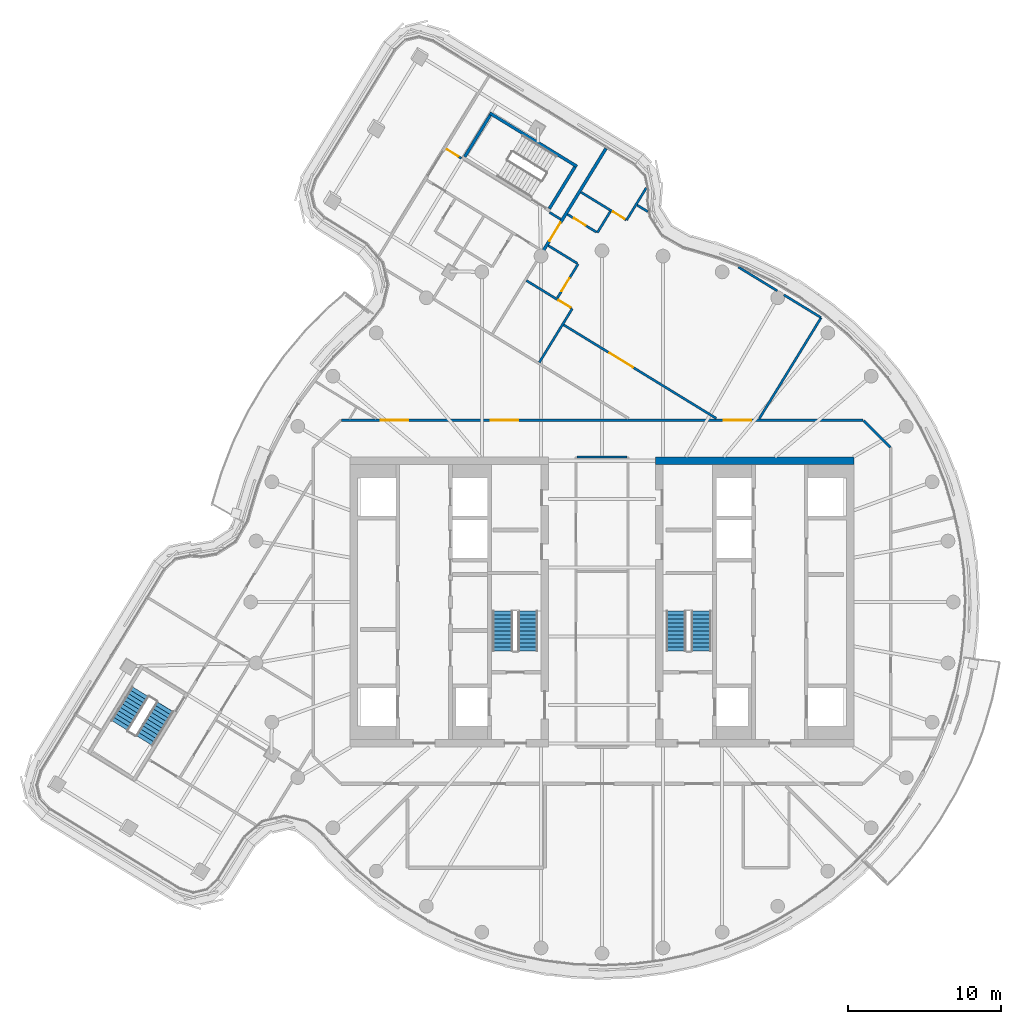
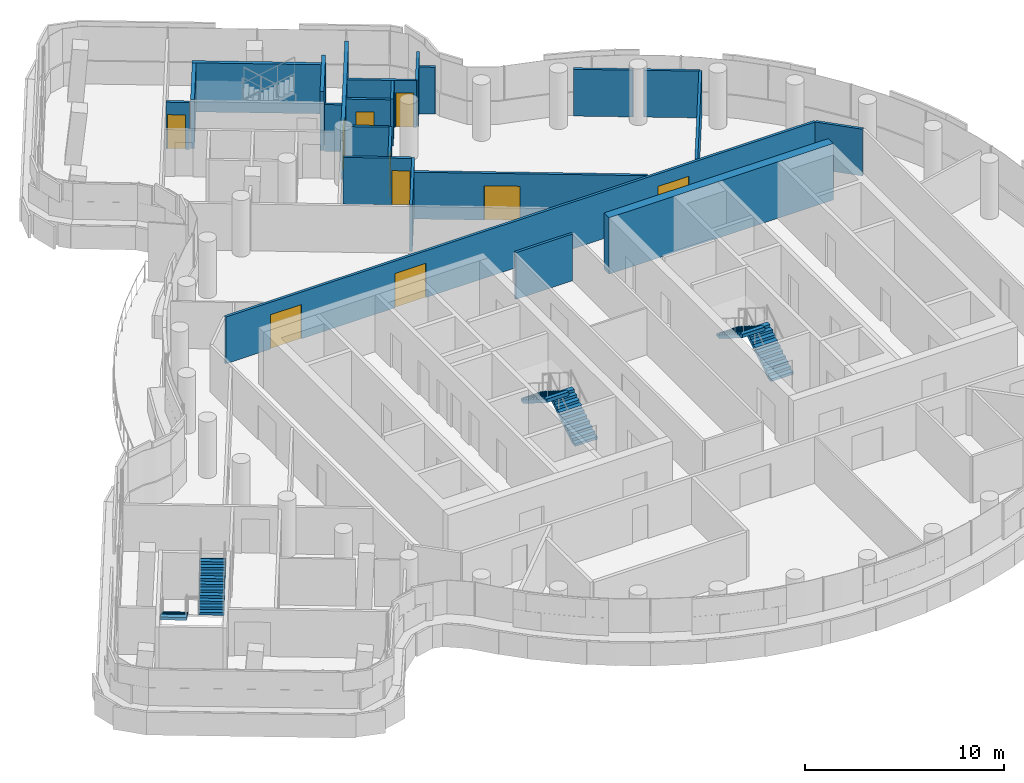
# One storey, part 20 of 27: 23 walls, 10 doors, 6 stair flights, 10 openings, 3 elements without a shape of their own.
"""IFC4 building model written with IfcOpenShell, lengths in metres."""

import ifcopenshell
import ifcopenshell.guid

model = None  # the IFC model being written
_history = None  # IfcOwnerHistory: only IFC2X3 demands one
_inside = {}  # id of a spatial element -> (the spatial element, [elements in it])
_under = {}  # id of a project, library or spatial element -> (it, [spatial elements below it])
_declared = {}  # id of a project -> (the project, [libraries it declares])
_typed = {}  # id of a type object -> (the type object, [elements of that type])
_made_of = {}  # id of a material, layer set ... -> (it, [elements and type objects made of it])


def new_model(schema):
    """Start an empty IFC model of exactly this schema.

    Asked for "IFC4X3", IfcOpenShell would pick the latest addendum, in which some entities
    have other attributes; the version numbers below select the first issue.
    IFC2X3 requires an IfcOwnerHistory on every rooted entity: one is made here for all.
    """
    global model, _history
    if schema == "IFC4X3":
        model = ifcopenshell.file(schema_version=(4, 3, 0, 0))
    else:
        model = ifcopenshell.file(schema=schema)
    _inside.clear()
    _under.clear()
    _declared.clear()
    _typed.clear()
    _made_of.clear()
    _history = None
    if model.schema == "IFC2X3":
        org = make("IfcOrganization", Name="unknown")
        user = make(
            "IfcPersonAndOrganization",
            ThePerson=make("IfcPerson", FamilyName="unknown"),
            TheOrganization=org,
        )
        app = make(
            "IfcApplication",
            ApplicationDeveloper=org,
            Version="unknown",
            ApplicationFullName="unknown",
            ApplicationIdentifier="unknown",
        )
        _history = make(
            "IfcOwnerHistory",
            OwningUser=user,
            OwningApplication=app,
            ChangeAction="ADDED",
            CreationDate=0,
        )
    return model


def make(cls, **values):
    """One entity of the class cls with the attributes given. An attribute that is None is left unset."""
    return model.create_entity(
        cls, **{name: value for name, value in values.items() if value is not None}
    )


def rooted(cls, **values):
    """An entity with a GlobalId (a new one), such as an element, a storey or a relation."""
    return make(cls, GlobalId=ifcopenshell.guid.new(), OwnerHistory=_history, **values)


def si_unit(unit_type, name, prefix=None):
    """IfcSIUnit, for example si_unit("LENGTHUNIT", "METRE", prefix="MILLI")."""
    return make("IfcSIUnit", UnitType=unit_type, Prefix=prefix, Name=name)


def assignment(units):
    """IfcUnitAssignment: the units of a project."""
    return None if units is None else make("IfcUnitAssignment", Units=units)


def point(xyz):
    """IfcCartesianPoint."""
    return None if xyz is None else make("IfcCartesianPoint", Coordinates=xyz)


def direction(xyz):
    """IfcDirection."""
    return None if xyz is None else make("IfcDirection", DirectionRatios=xyz)


def frame(location, z_axis=None, x_axis=None):
    """IfcAxis2Placement3D, a coordinate frame: its origin and axes. An axis left out is left unset."""
    return make(
        "IfcAxis2Placement3D",
        Location=point(location),
        Axis=direction(z_axis),
        RefDirection=direction(x_axis),
    )


def frame_2d(location, x_axis=None):
    """IfcAxis2Placement2D, a coordinate frame in the plane: its origin and x axis."""
    return make(
        "IfcAxis2Placement2D", Location=point(location), RefDirection=direction(x_axis)
    )


def origin():
    """The frame at (0, 0, 0) with its axes left unset."""
    return frame((0.0, 0.0, 0.0))


def place(relative_to, where):
    """IfcLocalPlacement: puts the frame where relative to a parent placement (None: the world)."""
    return make(
        "IfcLocalPlacement", PlacementRelTo=relative_to, RelativePlacement=where
    )


def context(
    kind, dimensions, precision=None, world=None, true_north=None, identifier=None
):
    """IfcGeometricRepresentationContext, for example the 3D "Model" context."""
    return make(
        "IfcGeometricRepresentationContext",
        ContextIdentifier=identifier,
        ContextType=kind,
        CoordinateSpaceDimension=dimensions,
        Precision=precision,
        WorldCoordinateSystem=world,
        TrueNorth=true_north,
    )


def subcontext(parent, identifier, kind, view, scale=None):
    """IfcGeometricRepresentationSubContext, for example "Body" below "Model"."""
    return make(
        "IfcGeometricRepresentationSubContext",
        ContextIdentifier=identifier,
        ContextType=kind,
        ParentContext=parent,
        TargetScale=scale,
        TargetView=view,
    )


def project(units=None, contexts=None):
    """IfcProject with its units and contexts."""
    return rooted(
        "IfcProject",
        Name="project",
        RepresentationContexts=contexts,
        UnitsInContext=assignment(units),
    )


def spatial(cls, under=None, at=None, **own):
    """A site, building, storey or space (cls), placed at a placement, below another one or the project."""
    s = rooted(cls, ObjectPlacement=at, **own)
    if under is not None:
        _under.setdefault(under.id(), (under, []))[1].append(s)
    return s


def polyline(points):
    """IfcPolyline through the points."""
    return make("IfcPolyline", Points=[point(p) for p in points])


def profile(cls, at=None, kind="AREA", **sizes):
    """A parametric profile (cls). Its sizes go by their IFC names, for example OverallWidth=200.0."""
    return make(cls, ProfileType=kind, Position=at, **sizes)


def rectangle(**sizes):
    """IfcRectangleProfileDef."""
    return profile("IfcRectangleProfileDef", **sizes)


def outline(outer, holes=None, kind="AREA"):
    """IfcArbitraryClosedProfileDef: a profile drawn as a closed curve; with holes, ...WithVoids."""
    if holes is None:
        return make("IfcArbitraryClosedProfileDef", ProfileType=kind, OuterCurve=outer)
    return make(
        "IfcArbitraryProfileDefWithVoids",
        ProfileType=kind,
        OuterCurve=outer,
        InnerCurves=holes,
    )


def extrude(swept, where, along, depth):
    """IfcExtrudedAreaSolid: the profile swept, set in the frame where, extruded along a direction by depth."""
    return make(
        "IfcExtrudedAreaSolid",
        SweptArea=swept,
        Position=where,
        ExtrudedDirection=direction(along),
        Depth=depth,
    )


def shape(context_of_items, identifier, shape_type, items):
    """IfcShapeRepresentation: the items that make up one representation, for example the "Body"."""
    return make(
        "IfcShapeRepresentation",
        ContextOfItems=context_of_items,
        RepresentationIdentifier=identifier,
        RepresentationType=shape_type,
        Items=items,
    )


def material(Name=None, Category=None):
    """IfcMaterial."""
    return make("IfcMaterial", Name=Name, Category=Category)


def layer(
    of_material, thickness, ventilated=None, Name=None, Category=None, Priority=None
):
    """IfcMaterialLayer: one layer of a wall or slab, of a material (None: an air gap)."""
    return make(
        "IfcMaterialLayer",
        Material=of_material,
        LayerThickness=thickness,
        IsVentilated=ventilated,
        Name=Name,
        Category=Category,
        Priority=Priority,
    )


def layer_set(layers, Name=None):
    """IfcMaterialLayerSet."""
    return make("IfcMaterialLayerSet", MaterialLayers=layers, LayerSetName=Name)


def made_of(thing, what):
    """Note that an element or type object is made of a material, layer set ...; save() writes the relation."""
    if what is not None:
        _made_of.setdefault(what.id(), (what, []))[1].append(thing)
    return thing


def type_object(cls, material=None, **own):
    """A type object (cls), such as IfcWallType, which elements share."""
    return made_of(rooted(cls, **own), material)


def element(
    cls,
    number,
    at=None,
    inside=None,
    cuts=None,
    type_object=None,
    material=None,
    context=None,
    identifier="Body",
    shape_type=None,
    held_by="IfcProductDefinitionShape",
    body=None,
    shapes=None,
    **own,
):
    """One element of the class cls, such as IfcWall. Its Tag is "e" and its number.

    at: its placement. inside: the storey or other place that contains it. cuts: it is an
    opening in that element (IfcRelVoidsElement). A single representation is given by context,
    identifier, shape_type and body (its items); several are given by shapes. held_by: the class
    of the entity that holds the representations. save() writes the other relations.
    """
    e = rooted(cls, Tag="e%d" % number, ObjectPlacement=at, **own)
    if body is not None:
        shapes = [shape(context, identifier, shape_type, body)]
    if shapes is not None:
        e.Representation = make(held_by, Representations=shapes)
    if inside is not None:
        _inside.setdefault(inside.id(), (inside, []))[1].append(e)
    if cuts is not None:
        rooted(
            "IfcRelVoidsElement", RelatingBuildingElement=cuts, RelatedOpeningElement=e
        )
    if type_object is not None:
        _typed.setdefault(type_object.id(), (type_object, []))[1].append(e)
    return made_of(e, material)


def fill(opening, filler):
    """IfcRelFillsElement: the door or window that sits in an opening."""
    return rooted(
        "IfcRelFillsElement",
        RelatingOpeningElement=opening,
        RelatedBuildingElement=filler,
    )


def aggregate(whole, parts):
    """IfcRelAggregates: a whole, such as a stair, and the parts it consists of."""
    return rooted("IfcRelAggregates", RelatingObject=whole, RelatedObjects=parts)


def save(model, path):
    """Write the relations noted so far, then the file.

    IfcRelAggregates (storeys below a building ...), IfcRelContainedInSpatialStructure (elements
    in a storey), IfcRelDefinesByType, IfcRelAssociatesMaterial and IfcRelDeclares: one each for
    every whole, place, type object, material and project.
    """
    for whole, parts in _under.values():
        aggregate(whole, parts)
    for where, things in _inside.values():
        rooted(
            "IfcRelContainedInSpatialStructure",
            RelatedElements=things,
            RelatingStructure=where,
        )
    for kind, things in _typed.values():
        rooted("IfcRelDefinesByType", RelatedObjects=things, RelatingType=kind)
    for what, things in _made_of.values():
        rooted("IfcRelAssociatesMaterial", RelatedObjects=things, RelatingMaterial=what)
    for by, libraries in _declared.values():
        rooted("IfcRelDeclares", RelatingContext=by, RelatedDefinitions=libraries)
    model.write(path)


model = new_model("IFC4")

# Units and contexts
model_context = context("Model", 3, precision=1e-05, world=origin(), true_north=direction((0.0, 1.0)))
body_context = subcontext(model_context, "Body", "Model", "MODEL_VIEW")
ifc_project = project(units=[si_unit("LENGTHUNIT", "METRE"), si_unit("AREAUNIT", "SQUARE_METRE"), si_unit("VOLUMEUNIT", "CUBIC_METRE"), si_unit("PLANEANGLEUNIT", "RADIAN"), si_unit("MASSUNIT", "GRAM", prefix="KILO")], contexts=[model_context])

# Site, building, storey
site_placement = place(None, origin())
site = spatial("IfcSite", under=ifc_project, at=site_placement, CompositionType="ELEMENT")
building_placement = place(site_placement, origin())
building = spatial("IfcBuilding", under=site, at=building_placement, Name="Tamarind Cross Interchange Tower", CompositionType="ELEMENT")
storey_placement = place(building_placement, frame((0.0, 0.0, 245.10009765625)))
storey = spatial("IfcBuildingStorey", under=building, at=storey_placement, Name="L62", CompositionType="ELEMENT", Elevation=245.10009765625)

# Walls
ifc_material_1 = material(Name="Concrete C50", Category="concrete")
ifc_layer_1 = layer(ifc_material_1, 0.5)
ifc_layer_set_1 = layer_set([ifc_layer_1], Name="Concrete C50")
wall_type_1 = type_object("IfcWallType", Name="Core wall 500 mm Concrete C50", PredefinedType="SHEAR", material=ifc_layer_set_1)
wall_1_placement = place(storey_placement, frame((16.5, 9.25, 0.0), z_axis=(0.0, 0.0, 1.0), x_axis=(-1.0, 0.0, 0.0)))
element("IfcWall", 1, at=wall_1_placement, inside=storey, type_object=wall_type_1, Name="Core wall CWL-L62-E-NE", PredefinedType="SHEAR", context=body_context, shape_type="SweptSolid", body=[
    extrude(rectangle(XDim=13.0, YDim=0.5, at=frame_2d((6.5, 0.0))), origin(), (0.0, 0.0, 1.0), 3.4599609375),
])
ifc_material_2 = material(Name="Gypsum board partition on steel studs", Category="steel")
ifc_layer_2 = layer(ifc_material_2, 0.14990234375)
ifc_layer_set_2 = layer_set([ifc_layer_2], Name="Gypsum board partition on steel studs")
wall_type_2 = type_object("IfcWallType", Name="Partition 150 mm EI 120", PredefinedType="PARTITIONING", material=ifc_layer_set_2)
wall_2_placement = place(storey_placement, frame((17.12841796875, 11.87158203125, 0.0), z_axis=(0.0, 0.0, 1.0), x_axis=(0.707106781187, -0.707106781187, 0.0)))
element("IfcWall", 2, at=wall_2_placement, inside=storey, type_object=wall_type_2, Name="Partition L62-003", PredefinedType="PARTITIONING", context=body_context, shape_type="SweptSolid", body=[
    extrude(rectangle(XDim=2.465087890625, YDim=0.14990234375, at=frame_2d((1.232421875, 0.0))), origin(), (0.0, 0.0, 1.0), 2.864013671875),
])

# Wall, opening, door
wall_3_placement = place(storey_placement, frame((-10.2197265625, 29.668212890625, 0.0), z_axis=(0.0, 0.0, 1.0), x_axis=(0.852431711589, -0.522838576501, 0.0)))
wall_3 = element("IfcWall", 3, at=wall_3_placement, inside=storey, type_object=wall_type_2, Name="Partition L62-010", PredefinedType="PARTITIONING", context=body_context, shape_type="SweptSolid", body=[
    extrude(rectangle(XDim=1.179931640625, YDim=0.14990234375, at=frame_2d((0.58984375, 0.0))), origin(), (0.0, 0.0, 1.0), 2.864013671875),
])
opening_1_placement = place(wall_3_placement, frame((0.070068359375, 0.0, 0.0)))
opening_1 = element("IfcOpeningElement", 4, at=opening_1_placement, cuts=wall_3, Name="Opening D04", PredefinedType="OPENING", context=body_context, shape_type="SweptSolid", body=[
    extrude(rectangle(XDim=0.89990234375, YDim=2.10009765625, at=frame_2d((0.449951171875, 1.050048828125))), frame((0.0, 0.0849609375, 0.0), z_axis=(0.0, -1.0, 0.0), x_axis=(1.0, 0.0, 0.0)), (0.0, 0.0, 1.0), 0.169921875),
])
ifc_material_3 = material(Name="Fire-resisting door set")
door_type_1 = type_object("IfcDoorType", Name="Interior door 900 x 2100 FD60S", OperationType="SINGLE_SWING_LEFT", PredefinedType="DOOR", material=ifc_material_3)
door_1_placement = place(opening_1_placement, origin())
door_1 = element("IfcDoor", 5, at=door_1_placement, inside=storey, type_object=door_type_1, Name="Door D04", OperationType="SINGLE_SWING_RIGHT", OverallHeight=2.10009765625, OverallWidth=0.89990234375, PredefinedType="DOOR", context=body_context, shape_type="SweptSolid", body=[
    extrude(rectangle(XDim=0.89990234375, YDim=2.10009765625, at=frame_2d((0.449951171875, 1.050048828125))), frame((0.0, 0.02490234375, 0.0), z_axis=(0.0, -1.0, 0.0), x_axis=(1.0, 0.0, 0.0)), (0.0, 0.0, 1.0), 0.050048828125),
])
fill(opening_1, door_1)

# Wall
wall_4_placement = place(storey_placement, frame((-3.43408203125, 25.506591796875, 0.0), z_axis=(0.0, 0.0, 1.0), x_axis=(0.852319855047, -0.523020902731, 0.0)))
element("IfcWall", 6, at=wall_4_placement, inside=storey, type_object=wall_type_2, Name="Partition L62-011", PredefinedType="PARTITIONING", context=body_context, shape_type="SweptSolid", body=[
    extrude(rectangle(XDim=0.86083984375, YDim=0.14990234375, at=frame_2d((0.430419921875, 0.0))), origin(), (0.0, 0.0, 1.0), 2.864013671875),
])

# Wall, opening, door
wall_5_placement = place(storey_placement, frame((-4.94775390625, 21.044189453125, 0.0), z_axis=(0.0, 0.0, 1.0), x_axis=(0.85258902817, -0.52258200222, 0.0)))
wall_5 = element("IfcWall", 7, at=wall_5_placement, inside=storey, type_object=wall_type_2, Name="Partition L62-012", PredefinedType="PARTITIONING", context=body_context, shape_type="SweptSolid", body=[
    extrude(rectangle(XDim=3.444580078125, YDim=0.14990234375, at=frame_2d((1.72216796875, 0.0))), origin(), (0.0, 0.0, 1.0), 2.864013671875),
])
opening_2_placement = place(wall_5_placement, frame((2.469482421875, 0.0, 0.0)))
opening_2 = element("IfcOpeningElement", 8, at=opening_2_placement, cuts=wall_5, Name="Opening D05", PredefinedType="OPENING", context=body_context, shape_type="SweptSolid", body=[
    extrude(rectangle(XDim=0.89990234375, YDim=2.10009765625, at=frame_2d((0.449951171875, 1.050048828125))), frame((0.0, 0.0849609375, 0.0), z_axis=(0.0, -1.0, 0.0), x_axis=(1.0, 0.0, 0.0)), (0.0, 0.0, 1.0), 0.169921875),
])
door_2_placement = place(opening_2_placement, frame((0.89990234375, 0.0, 0.0), z_axis=(0.0, 0.0, 1.0), x_axis=(-1.0, 0.0, 0.0)))
door_2 = element("IfcDoor", 9, at=door_2_placement, inside=storey, type_object=door_type_1, Name="Door D05", OperationType="SINGLE_SWING_RIGHT", OverallHeight=2.10009765625, OverallWidth=0.89990234375, PredefinedType="DOOR", context=body_context, shape_type="SweptSolid", body=[
    extrude(rectangle(XDim=0.89990234375, YDim=2.10009765625, at=frame_2d((0.449951171875, 1.050048828125))), frame((0.0, 0.02490234375, 0.0), z_axis=(0.0, -1.0, 0.0), x_axis=(1.0, 0.0, 0.0)), (0.0, 0.0, 1.0), 0.050048828125),
])
fill(opening_2, door_2)

wall_6_placement = place(storey_placement, frame((-2.2666015625, 25.3828125, 0.0), z_axis=(0.0, 0.0, 1.0), x_axis=(0.852583902446, -0.522590364712, 0.0)))
wall_6 = element("IfcWall", 10, at=wall_6_placement, inside=storey, type_object=wall_type_2, Name="Partition L62-013", PredefinedType="PARTITIONING", context=body_context, shape_type="SweptSolid", body=[
    extrude(rectangle(XDim=2.224609375, YDim=0.14990234375, at=frame_2d((1.1123046875, 0.0))), origin(), (0.0, 0.0, 1.0), 2.864013671875),
])
opening_3_placement = place(wall_6_placement, frame((0.5, 0.0, 0.0)))
opening_3 = element("IfcOpeningElement", 11, at=opening_3_placement, cuts=wall_6, Name="Opening D06", PredefinedType="OPENING", context=body_context, shape_type="SweptSolid", body=[
    extrude(rectangle(XDim=0.89990234375, YDim=2.10009765625, at=frame_2d((0.449951171875, 1.050048828125))), frame((0.0, 0.0849609375, 0.0), z_axis=(0.0, -1.0, 0.0), x_axis=(1.0, 0.0, 0.0)), (0.0, 0.0, 1.0), 0.169921875),
])
door_3_placement = place(opening_3_placement, origin())
door_3 = element("IfcDoor", 12, at=door_3_placement, inside=storey, type_object=door_type_1, Name="Door D06", OperationType="SINGLE_SWING_RIGHT", OverallHeight=2.10009765625, OverallWidth=0.89990234375, PredefinedType="DOOR", context=body_context, shape_type="SweptSolid", body=[
    extrude(rectangle(XDim=0.89990234375, YDim=2.10009765625, at=frame_2d((0.449951171875, 1.050048828125))), frame((0.0, 0.02490234375, 0.0), z_axis=(0.0, -1.0, 0.0), x_axis=(1.0, 0.0, 0.0)), (0.0, 0.0, 1.0), 0.050048828125),
])
fill(opening_3, door_3)

# Wall
wall_7_placement = place(storey_placement, frame((-3.520751953125, 23.335693359375, 0.0), z_axis=(0.0, 0.0, 1.0), x_axis=(0.852703717401, -0.522394841408, 0.0)))
element("IfcWall", 13, at=wall_7_placement, inside=storey, type_object=wall_type_2, Name="Partition L62-019", PredefinedType="PARTITIONING", context=body_context, shape_type="SweptSolid", body=[
    extrude(rectangle(XDim=2.2255859375, YDim=0.14990234375, at=frame_2d((1.11279296875, 0.0))), origin(), (0.0, 0.0, 1.0), 2.864013671875),
])

# Wall, opening, door
wall_8_placement = place(storey_placement, frame((-2.505859375, 18.14013671875, 0.0), z_axis=(0.0, 0.0, 1.0), x_axis=(0.85272401736, -0.522361704393, 0.0)))
wall_8 = element("IfcWall", 14, at=wall_8_placement, inside=storey, type_object=wall_type_2, Name="Partition L62-020", PredefinedType="PARTITIONING", context=body_context, shape_type="SweptSolid", body=[
    extrude(rectangle(XDim=11.71630859375, YDim=0.14990234375, at=frame_2d((5.858154296875, 0.0))), origin(), (0.0, 0.0, 1.0), 2.864013671875),
])
opening_4_placement = place(wall_8_placement, frame((3.52001953125, 0.0, 0.0)))
opening_4 = element("IfcOpeningElement", 15, at=opening_4_placement, cuts=wall_8, Name="Opening D08", PredefinedType="OPENING", context=body_context, shape_type="SweptSolid", body=[
    extrude(rectangle(XDim=1.800048828125, YDim=2.10009765625, at=frame_2d((0.89990234375, 1.050048828125))), frame((0.0, 0.0849609375, 0.0), z_axis=(0.0, -1.0, 0.0), x_axis=(1.0, 0.0, 0.0)), (0.0, 0.0, 1.0), 0.169921875),
])
door_type_2 = type_object("IfcDoorType", Name="Interior door 1800 x 2100 FD60S", OperationType="DOUBLE_DOOR_SINGLE_SWING", PredefinedType="DOOR", material=ifc_material_3)
door_4_placement = place(opening_4_placement, frame((1.800048828125, 0.0, 0.0), z_axis=(0.0, 0.0, 1.0), x_axis=(-1.0, 0.0, 0.0)))
door_4 = element("IfcDoor", 16, at=door_4_placement, inside=storey, type_object=door_type_2, Name="Door D08", OperationType="DOUBLE_DOOR_SINGLE_SWING", OverallHeight=2.10009765625, OverallWidth=1.800048828125, PredefinedType="DOOR", context=body_context, shape_type="SweptSolid", body=[
    extrude(rectangle(XDim=1.800048828125, YDim=2.10009765625, at=frame_2d((0.89990234375, 1.050048828125))), frame((0.0, 0.02490234375, 0.0), z_axis=(0.0, -1.0, 0.0), x_axis=(1.0, 0.0, 0.0)), (0.0, 0.0, 1.0), 0.050048828125),
])
fill(opening_4, door_4)

wall_9_placement = place(storey_placement, frame((-1.37451171875, 26.8291015625, 0.0), z_axis=(0.0, 0.0, 1.0), x_axis=(0.852802133987, -0.522234162294, 0.0)))
wall_9 = element("IfcWall", 17, at=wall_9_placement, inside=storey, type_object=wall_type_2, Name="Partition L62-021", PredefinedType="PARTITIONING", context=body_context, shape_type="SweptSolid", body=[
    extrude(rectangle(XDim=3.474853515625, YDim=0.14990234375, at=frame_2d((1.7373046875, 0.0))), origin(), (0.0, 0.0, 1.0), 2.864013671875),
])
opening_5_placement = place(wall_9_placement, frame((2.444091796875, 0.0, 0.0)))
opening_5 = element("IfcOpeningElement", 18, at=opening_5_placement, cuts=wall_9, Name="Opening D09", PredefinedType="OPENING", context=body_context, shape_type="SweptSolid", body=[
    extrude(rectangle(XDim=0.89990234375, YDim=2.10009765625, at=frame_2d((0.449951171875, 1.050048828125))), frame((0.0, 0.0849609375, 0.0), z_axis=(0.0, -1.0, 0.0), x_axis=(1.0, 0.0, 0.0)), (0.0, 0.0, 1.0), 0.169921875),
])
door_5_placement = place(opening_5_placement, origin())
door_5 = element("IfcDoor", 19, at=door_5_placement, inside=storey, type_object=door_type_1, Name="Door D09", OperationType="SINGLE_SWING_LEFT", OverallHeight=2.10009765625, OverallWidth=0.89990234375, PredefinedType="DOOR", context=body_context, shape_type="SweptSolid", body=[
    extrude(rectangle(XDim=0.89990234375, YDim=2.10009765625, at=frame_2d((0.449951171875, 1.050048828125))), frame((0.0, 0.02490234375, 0.0), z_axis=(0.0, -1.0, 0.0), x_axis=(1.0, 0.0, 0.0)), (0.0, 0.0, 1.0), 0.050048828125),
])
fill(opening_5, door_5)

# Walls
wall_10_placement = place(storey_placement, frame((2.30029296875, 25.9853515625, 0.0), z_axis=(0.0, 0.0, 1.0), x_axis=(0.852972911954, -0.521955181478, 0.0)))
element("IfcWall", 20, at=wall_10_placement, inside=storey, type_object=wall_type_2, Name="Partition L62-022", PredefinedType="PARTITIONING", context=body_context, shape_type="SweptSolid", body=[
    extrude(rectangle(XDim=0.82080078125, YDim=0.14990234375, at=frame_2d((0.410400390625, 0.0))), origin(), (0.0, 0.0, 1.0), 2.864013671875),
])
wall_11_placement = place(storey_placement, frame((8.924560546875, 21.93310546875, 0.0), z_axis=(0.0, 0.0, 1.0), x_axis=(0.853098197907, -0.52175038546, 0.0)))
element("IfcWall", 21, at=wall_11_placement, inside=storey, type_object=wall_type_2, Name="Partition L62-023", PredefinedType="PARTITIONING", context=body_context, shape_type="SweptSolid", body=[
    extrude(rectangle(XDim=2.991455078125, YDim=0.14990234375, at=frame_2d((1.49560546875, 0.0))), origin(), (0.0, 0.0, 1.0), 2.864013671875),
])
wall_12_placement = place(storey_placement, frame((11.909423828125, 20.107421875, 0.0), z_axis=(0.0, 0.0, 1.0), x_axis=(0.853056203986, -0.521819042237, 0.0)))
element("IfcWall", 22, at=wall_12_placement, inside=storey, type_object=wall_type_2, Name="Partition L62-024", PredefinedType="PARTITIONING", context=body_context, shape_type="SweptSolid", body=[
    extrude(rectangle(XDim=2.836181640625, YDim=0.14990234375, at=frame_2d((1.41796875, 0.0))), origin(), (0.0, 0.0, 1.0), 2.864013671875),
])

# Wall, openings, doors
wall_13_placement = place(storey_placement, frame((-17.06494140625, 11.89990234375, 0.0), z_axis=(0.0, 0.0, 1.0), x_axis=(1.0, 0.0, 0.0)))
wall_13 = element("IfcWall", 23, at=wall_13_placement, inside=storey, type_object=wall_type_2, Name="Partition L62-026", PredefinedType="PARTITIONING", context=body_context, shape_type="SweptSolid", body=[
    extrude(rectangle(XDim=34.1650390625, YDim=0.14990234375, at=frame_2d((17.08251953125, 0.0))), origin(), (0.0, 0.0, 1.0), 2.864013671875),
])
opening_6_placement = place(wall_13_placement, frame((25.0458984375, 0.0, 0.0)))
opening_6 = element("IfcOpeningElement", 24, at=opening_6_placement, cuts=wall_13, Name="Opening D16", PredefinedType="OPENING", context=body_context, shape_type="SweptSolid", body=[
    extrude(rectangle(XDim=1.800048828125, YDim=2.10009765625, at=frame_2d((0.89990234375, 1.050048828125))), frame((0.0, 0.0849609375, 0.0), z_axis=(0.0, -1.0, 0.0), x_axis=(1.0, 0.0, 0.0)), (0.0, 0.0, 1.0), 0.169921875),
])
opening_7_placement = place(wall_13_placement, frame((9.7900390625, 0.0, 0.0)))
opening_7 = element("IfcOpeningElement", 25, at=opening_7_placement, cuts=wall_13, Name="Opening D17", PredefinedType="OPENING", context=body_context, shape_type="SweptSolid", body=[
    extrude(rectangle(XDim=1.800048828125, YDim=2.10009765625, at=frame_2d((0.89990234375, 1.050048828125))), frame((0.0, 0.0849609375, 0.0), z_axis=(0.0, -1.0, 0.0), x_axis=(1.0, 0.0, 0.0)), (0.0, 0.0, 1.0), 0.169921875),
])
opening_8_placement = place(wall_13_placement, frame((2.590087890625, 0.0, 0.0)))
opening_8 = element("IfcOpeningElement", 26, at=opening_8_placement, cuts=wall_13, Name="Opening D18", PredefinedType="OPENING", context=body_context, shape_type="SweptSolid", body=[
    extrude(rectangle(XDim=1.800048828125, YDim=2.10009765625, at=frame_2d((0.89990234375, 1.050048828125))), frame((0.0, 0.0849609375, 0.0), z_axis=(0.0, -1.0, 0.0), x_axis=(1.0, 0.0, 0.0)), (0.0, 0.0, 1.0), 0.169921875),
])
door_6_placement = place(opening_6_placement, frame((1.800048828125, 0.0, 0.0), z_axis=(0.0, 0.0, 1.0), x_axis=(-1.0, 0.0, 0.0)))
door_6 = element("IfcDoor", 27, at=door_6_placement, inside=storey, type_object=door_type_2, Name="Door D16", OperationType="DOUBLE_DOOR_SINGLE_SWING", OverallHeight=2.10009765625, OverallWidth=1.800048828125, PredefinedType="DOOR", context=body_context, shape_type="SweptSolid", body=[
    extrude(rectangle(XDim=1.800048828125, YDim=2.10009765625, at=frame_2d((0.89990234375, 1.050048828125))), frame((0.0, 0.02490234375, 0.0), z_axis=(0.0, -1.0, 0.0), x_axis=(1.0, 0.0, 0.0)), (0.0, 0.0, 1.0), 0.050048828125),
])
fill(opening_6, door_6)
door_7_placement = place(opening_7_placement, origin())
door_7 = element("IfcDoor", 28, at=door_7_placement, inside=storey, type_object=door_type_2, Name="Door D17", OperationType="DOUBLE_DOOR_SINGLE_SWING", OverallHeight=2.10009765625, OverallWidth=1.800048828125, PredefinedType="DOOR", context=body_context, shape_type="SweptSolid", body=[
    extrude(rectangle(XDim=1.800048828125, YDim=2.10009765625, at=frame_2d((0.89990234375, 1.050048828125))), frame((0.0, 0.02490234375, 0.0), z_axis=(0.0, -1.0, 0.0), x_axis=(1.0, 0.0, 0.0)), (0.0, 0.0, 1.0), 0.050048828125),
])
fill(opening_7, door_7)
door_8_placement = place(opening_8_placement, origin())
door_8 = element("IfcDoor", 29, at=door_8_placement, inside=storey, type_object=door_type_2, Name="Door D18", OperationType="DOUBLE_DOOR_SINGLE_SWING", OverallHeight=2.10009765625, OverallWidth=1.800048828125, PredefinedType="DOOR", context=body_context, shape_type="SweptSolid", body=[
    extrude(rectangle(XDim=1.800048828125, YDim=2.10009765625, at=frame_2d((0.89990234375, 1.050048828125))), frame((0.0, 0.02490234375, 0.0), z_axis=(0.0, -1.0, 0.0), x_axis=(1.0, 0.0, 0.0)), (0.0, 0.0, 1.0), 0.050048828125),
])
fill(opening_8, door_8)

# Wall
wall_14_placement = place(storey_placement, frame((-1.639892578125, 9.5, 0.0), z_axis=(0.0, 0.0, 1.0), x_axis=(1.0, 0.0, 0.0)))
element("IfcWall", 30, at=wall_14_placement, inside=storey, type_object=wall_type_2, Name="Partition L62-031", PredefinedType="PARTITIONING", context=body_context, shape_type="SweptSolid", body=[
    extrude(rectangle(XDim=3.27978515625, YDim=0.14990234375, at=frame_2d((1.639892578125, 0.0))), origin(), (0.0, 0.0, 1.0), 2.864013671875),
])

# Wall, opening, door
wall_15_placement = place(storey_placement, frame((-2.92822265625, 19.900146484375, 0.0), z_axis=(0.0, 0.0, 1.0), x_axis=(0.522557687872, 0.852603930818, 0.0)))
wall_15 = element("IfcWall", 31, at=wall_15_placement, inside=storey, type_object=wall_type_2, Name="Partition L62-045", PredefinedType="PARTITIONING", context=body_context, shape_type="SweptSolid", body=[
    extrude(rectangle(XDim=2.6201171875, YDim=0.14990234375, at=frame_2d((1.31005859375, 0.0))), origin(), (0.0, 0.0, 1.0), 2.864013671875),
])
opening_9_placement = place(wall_15_placement, frame((0.52001953125, 0.0, 0.0)))
opening_9 = element("IfcOpeningElement", 32, at=opening_9_placement, cuts=wall_15, Name="Opening D22", PredefinedType="OPENING", context=body_context, shape_type="SweptSolid", body=[
    extrude(rectangle(XDim=1.0, YDim=2.10009765625, at=frame_2d((0.5, 1.050048828125))), frame((0.0, 0.0849609375, 0.0), z_axis=(0.0, -1.0, 0.0), x_axis=(1.0, 0.0, 0.0)), (0.0, 0.0, 1.0), 0.169921875),
])
door_type_3 = type_object("IfcDoorType", Name="Interior door 1000 x 2100 FD60S", OperationType="SINGLE_SWING_LEFT", PredefinedType="DOOR", material=ifc_material_3)
door_9_placement = place(opening_9_placement, origin())
door_9 = element("IfcDoor", 33, at=door_9_placement, inside=storey, type_object=door_type_3, Name="Door D22", OperationType="SINGLE_SWING_RIGHT", OverallHeight=2.10009765625, OverallWidth=1.0, PredefinedType="DOOR", context=body_context, shape_type="SweptSolid", body=[
    extrude(rectangle(XDim=1.0, YDim=2.10009765625, at=frame_2d((0.5, 1.050048828125))), frame((0.0, 0.02490234375, 0.0), z_axis=(0.0, -1.0, 0.0), x_axis=(1.0, 0.0, 0.0)), (0.0, 0.0, 1.0), 0.050048828125),
])
fill(opening_9, door_9)

# Walls
wall_16_placement = place(storey_placement, frame((-0.3046875, 24.18017578125, 0.0), z_axis=(0.0, 0.0, 1.0), x_axis=(0.522516127408, 0.852629401674, 0.0)))
element("IfcWall", 34, at=wall_16_placement, inside=storey, type_object=wall_type_2, Name="Partition L62-046", PredefinedType="PARTITIONING", context=body_context, shape_type="SweptSolid", body=[
    extrude(rectangle(XDim=1.620361328125, YDim=0.14990234375, at=frame_2d((0.81005859375, 0.0))), origin(), (0.0, 0.0, 1.0), 2.864013671875),
])
wall_17_placement = place(storey_placement, frame((-4.102294921875, 15.688232421875, 0.0), z_axis=(0.0, 0.0, 1.0), x_axis=(0.522524582704, 0.852624219965, 0.0)))
element("IfcWall", 35, at=wall_17_placement, inside=storey, type_object=wall_type_2, Name="Partition L62-049", PredefinedType="PARTITIONING", context=body_context, shape_type="SweptSolid", body=[
    extrude(rectangle(XDim=4.124755859375, YDim=0.14990234375, at=frame_2d((2.0625, 0.0))), origin(), (0.0, 0.0, 1.0), 2.864013671875),
])
wall_18_placement = place(storey_placement, frame((1.60693359375, 25.00341796875, 0.0), z_axis=(0.0, 0.0, 1.0), x_axis=(0.522543541311, 0.852612601029, 0.0)))
element("IfcWall", 36, at=wall_18_placement, inside=storey, type_object=wall_type_2, Name="Partition L62-050", PredefinedType="PARTITIONING", context=body_context, shape_type="SweptSolid", body=[
    extrude(rectangle(XDim=2.473388671875, YDim=0.14990234375, at=frame_2d((1.23681640625, 0.0))), origin(), (0.0, 0.0, 1.0), 2.864013671875),
])
wall_19_placement = place(storey_placement, frame((10.291015625, 11.998046875, 0.0), z_axis=(0.0, 0.0, 1.0), x_axis=(0.522397377653, 0.852702163608, 0.0)))
element("IfcWall", 37, at=wall_19_placement, inside=storey, type_object=wall_type_2, Name="Partition L62-055", PredefinedType="PARTITIONING", context=body_context, shape_type="SweptSolid", body=[
    extrude(rectangle(XDim=7.7529296875, YDim=0.14990234375, at=frame_2d((3.87646484375, 0.0))), origin(), (0.0, 0.0, 1.0), 2.864013671875),
])

# Wall, opening, door
ifc_layer_3 = layer(ifc_material_2, 0.199951171875)
ifc_layer_set_3 = layer_set([ifc_layer_3], Name="Gypsum board partition on steel studs")
wall_type_3 = type_object("IfcWallType", Name="Partition 200 mm EI 180", PredefinedType="PARTITIONING", material=ifc_layer_set_3)
wall_20_placement = place(storey_placement, frame((-3.921875, 22.872314453125, 0.0), z_axis=(0.0, 0.0, 1.0), x_axis=(0.522556335617, 0.852604759608, 0.0)))
wall_20 = element("IfcWall", 38, at=wall_20_placement, inside=storey, type_object=wall_type_3, Name="Partition L62-048", PredefinedType="PARTITIONING", context=body_context, shape_type="SweptSolid", body=[
    extrude(rectangle(XDim=8.003662109375, YDim=0.199951171875, at=frame_2d((4.001953125, 0.0))), origin(), (0.0, 0.0, 1.0), 2.864013671875),
])
opening_10_placement = place(wall_20_placement, frame((0.90478515625, 0.0, 0.0)))
opening_10 = element("IfcOpeningElement", 39, at=opening_10_placement, cuts=wall_20, Name="Opening D23", PredefinedType="OPENING", context=body_context, shape_type="SweptSolid", body=[
    extrude(rectangle(XDim=1.39990234375, YDim=2.10009765625, at=frame_2d((0.699951171875, 1.050048828125))), frame((0.0, 0.10986328125, 0.0), z_axis=(0.0, -1.0, 0.0), x_axis=(1.0, 0.0, 0.0)), (0.0, 0.0, 1.0), 0.219970703125),
])
door_type_4 = type_object("IfcDoorType", Name="Interior door 1400 x 2100 FD120S", OperationType="DOUBLE_DOOR_SINGLE_SWING", PredefinedType="DOOR", material=ifc_material_3)
door_10_placement = place(opening_10_placement, frame((1.39990234375, 0.0, 0.0), z_axis=(0.0, 0.0, 1.0), x_axis=(-1.0, 0.0, 0.0)))
door_10 = element("IfcDoor", 40, at=door_10_placement, inside=storey, type_object=door_type_4, Name="Door D23", OperationType="DOUBLE_DOOR_SINGLE_SWING", OverallHeight=2.10009765625, OverallWidth=1.39990234375, PredefinedType="DOOR", context=body_context, shape_type="SweptSolid", body=[
    extrude(rectangle(XDim=1.39990234375, YDim=2.10009765625, at=frame_2d((0.699951171875, 1.050048828125))), frame((0.0, 0.02490234375, 0.0), z_axis=(0.0, -1.0, 0.0), x_axis=(1.0, 0.0, 0.0)), (0.0, 0.0, 1.0), 0.050048828125),
])
fill(opening_10, door_10)

# Walls
ifc_material_4 = material(Name="Concrete C40", Category="concrete")
ifc_layer_4 = layer(ifc_material_4, 0.199951171875)
ifc_layer_set_4 = layer_set([ifc_layer_4], Name="Concrete C40")
wall_type_4 = type_object("IfcWallType", Name="Stair shaft wall 200 mm Concrete C40", PredefinedType="SHEAR", material=ifc_layer_set_4)
wall_21_placement = place(storey_placement, frame((-1.637939453125, 28.51513671875, -0.14013671875), z_axis=(0.0, 0.0, 1.0), x_axis=(-0.852733721115, 0.522345863268, 0.0)))
element("IfcWall", 41, at=wall_21_placement, inside=storey, type_object=wall_type_4, Name="Core wall CWL-L62-ST4-C", PredefinedType="SHEAR", context=body_context, shape_type="SweptSolid", body=[
    extrude(rectangle(XDim=6.7001953125, YDim=0.199951171875, at=frame_2d((3.35009765625, 0.0))), origin(), (0.0, 0.0, 1.0), 3.004150390625),
])
wall_22_placement = place(storey_placement, frame((-1.775390625, 28.482177734375, -0.14013671875), z_axis=(0.0, 0.0, 1.0), x_axis=(-0.52237241109, -0.852717458559, 0.0)))
element("IfcWall", 42, at=wall_22_placement, inside=storey, type_object=wall_type_4, Name="Core wall CWL-L62-ST4-CE", PredefinedType="SHEAR", context=body_context, shape_type="SweptSolid", body=[
    extrude(rectangle(XDim=3.2001953125, YDim=0.199951171875, at=frame_2d((1.60009765625, 0.0))), origin(), (0.0, 0.0, 1.0), 3.60009765625),
])
wall_23_placement = place(storey_placement, frame((0.0, 0.0, -0.14013671875)))
element("IfcWall", 43, at=wall_23_placement, inside=storey, type_object=wall_type_4, Name="Core wall CWL-L62-ST4-CF", PredefinedType="SHEAR", context=body_context, shape_type="SweptSolid", body=[
    extrude(outline(polyline([(-7.23291015625, 31.8251953125), (-7.4033203125, 31.9296875), (-9.074951171875, 29.200927734375), (-8.904296875, 29.0966796875), (-7.23291015625, 31.8251953125)])), origin(), (0.0, 0.0, 1.0), 3.004150390625),
])

# Stair, stair flights
ifc_material_5 = material(Name="Exit stair")
stair_type = type_object("IfcStairType", Name="Exit stair", PredefinedType="HALF_TURN_STAIR", material=ifc_material_5)
stair_1_placement = place(storey_placement, origin())
stair_1 = element("IfcStair", 44, at=stair_1_placement, inside=storey, type_object=stair_type, Name="L62 exit stair ST1", PredefinedType="HALF_TURN_STAIR")
ifc_material_6 = material(Name="Exit stair flight")
stair_flight_type = type_object("IfcStairFlightType", Name="Exit stair flight", PredefinedType="STRAIGHT", material=ifc_material_6)
stair_flight_1_placement = place(storey_placement, frame((-4.85009765625, -3.199951171875, 0.0), z_axis=(0.0, 0.0, 1.0), x_axis=(0.0, 1.0, 0.0)))
stair_flight_1 = element("IfcStairFlight", 45, at=stair_flight_1_placement, type_object=stair_flight_type, Name="ST1 flight 1", NumberOfRisers=11, NumberOfTreads=10, PredefinedType="STRAIGHT", RiserHeight=0.163636364, TreadLength=0.26, context=body_context, shape_type="SweptSolid", body=[
    extrude(outline(polyline([(0.0, 0.0), (0.0, 0.16357421875), (0.260009765625, 0.16357421875), (0.260009765625, 0.327392578125), (0.52001953125, 0.327392578125), (0.52001953125, 0.490966796875), (0.780029296875, 0.490966796875), (0.780029296875, 0.654541015625), (1.0400390625, 0.654541015625), (1.0400390625, 0.818115234375), (1.300048828125, 0.818115234375), (1.300048828125, 0.98193359375), (1.56005859375, 0.98193359375), (1.56005859375, 1.1455078125), (1.820068359375, 1.1455078125), (1.820068359375, 1.30908203125), (2.080078125, 1.30908203125), (2.080078125, 1.47265625), (2.340087890625, 1.47265625), (2.340087890625, 1.636474609375), (2.60009765625, 1.636474609375), (2.60009765625, 1.800048828125), (2.60009765625, 1.459228515625), (0.281494140625, 0.0), (0.0, 0.0)])), frame((0.0, 0.64990234375, 0.0), z_axis=(0.0, -1.0, 0.0), x_axis=(1.0, 0.0, 0.0)), (0.0, 0.0, 1.0), 1.300048828125),
])
stair_flight_2_placement = place(storey_placement, frame((-6.5, -0.60009765625, 1.7998046875), z_axis=(0.0, 0.0, 1.0), x_axis=(0.0, -1.0, 0.0)))
stair_flight_2 = element("IfcStairFlight", 46, at=stair_flight_2_placement, type_object=stair_flight_type, Name="ST1 flight 2", NumberOfRisers=11, NumberOfTreads=10, PredefinedType="STRAIGHT", RiserHeight=0.163636364, TreadLength=0.26, context=body_context, shape_type="SweptSolid", body=[
    extrude(outline(polyline([(0.0, 0.0), (0.0, 0.16357421875), (0.260009765625, 0.16357421875), (0.260009765625, 0.327392578125), (0.52001953125, 0.327392578125), (0.52001953125, 0.490966796875), (0.780029296875, 0.490966796875), (0.780029296875, 0.654541015625), (1.0400390625, 0.654541015625), (1.0400390625, 0.818115234375), (1.300048828125, 0.818115234375), (1.300048828125, 0.98193359375), (1.56005859375, 0.98193359375), (1.56005859375, 1.1455078125), (1.820068359375, 1.1455078125), (1.820068359375, 1.30908203125), (2.080078125, 1.30908203125), (2.080078125, 1.47265625), (2.340087890625, 1.47265625), (2.340087890625, 1.636474609375), (2.60009765625, 1.636474609375), (2.60009765625, 1.679931640625), (2.612060546875, 1.679931640625), (2.612060546875, 1.466796875), (0.281494140625, 0.0), (0.0, 0.0)])), frame((0.0, 0.64990234375, 0.0), z_axis=(0.0, -1.0, 0.0), x_axis=(1.0, 0.0, 0.0)), (0.0, 0.0, 1.0), 1.300048828125),
])
aggregate(stair_1, [stair_flight_1, stair_flight_2])

stair_2_placement = place(storey_placement, origin())
stair_2 = element("IfcStair", 47, at=stair_2_placement, inside=storey, type_object=stair_type, Name="L62 exit stair ST2", PredefinedType="HALF_TURN_STAIR")
stair_flight_3_placement = place(storey_placement, frame((6.5, -3.199951171875, 0.0), z_axis=(0.0, 0.0, 1.0), x_axis=(0.0, 1.0, 0.0)))
stair_flight_3 = element("IfcStairFlight", 48, at=stair_flight_3_placement, type_object=stair_flight_type, Name="ST2 flight 1", NumberOfRisers=11, NumberOfTreads=10, PredefinedType="STRAIGHT", RiserHeight=0.163636364, TreadLength=0.26, context=body_context, shape_type="SweptSolid", body=[
    extrude(outline(polyline([(0.0, 0.0), (0.0, 0.16357421875), (0.260009765625, 0.16357421875), (0.260009765625, 0.327392578125), (0.52001953125, 0.327392578125), (0.52001953125, 0.490966796875), (0.780029296875, 0.490966796875), (0.780029296875, 0.654541015625), (1.0400390625, 0.654541015625), (1.0400390625, 0.818115234375), (1.300048828125, 0.818115234375), (1.300048828125, 0.98193359375), (1.56005859375, 0.98193359375), (1.56005859375, 1.1455078125), (1.820068359375, 1.1455078125), (1.820068359375, 1.30908203125), (2.080078125, 1.30908203125), (2.080078125, 1.47265625), (2.340087890625, 1.47265625), (2.340087890625, 1.636474609375), (2.60009765625, 1.636474609375), (2.60009765625, 1.800048828125), (2.60009765625, 1.459228515625), (0.281494140625, 0.0), (0.0, 0.0)])), frame((0.0, 0.64990234375, 0.0), z_axis=(0.0, -1.0, 0.0), x_axis=(1.0, 0.0, 0.0)), (0.0, 0.0, 1.0), 1.300048828125),
])
stair_flight_4_placement = place(storey_placement, frame((4.85009765625, -0.60009765625, 1.7998046875), z_axis=(0.0, 0.0, 1.0), x_axis=(0.0, -1.0, 0.0)))
stair_flight_4 = element("IfcStairFlight", 49, at=stair_flight_4_placement, type_object=stair_flight_type, Name="ST2 flight 2", NumberOfRisers=11, NumberOfTreads=10, PredefinedType="STRAIGHT", RiserHeight=0.163636364, TreadLength=0.26, context=body_context, shape_type="SweptSolid", body=[
    extrude(outline(polyline([(0.0, 0.0), (0.0, 0.16357421875), (0.260009765625, 0.16357421875), (0.260009765625, 0.327392578125), (0.52001953125, 0.327392578125), (0.52001953125, 0.490966796875), (0.780029296875, 0.490966796875), (0.780029296875, 0.654541015625), (1.0400390625, 0.654541015625), (1.0400390625, 0.818115234375), (1.300048828125, 0.818115234375), (1.300048828125, 0.98193359375), (1.56005859375, 0.98193359375), (1.56005859375, 1.1455078125), (1.820068359375, 1.1455078125), (1.820068359375, 1.30908203125), (2.080078125, 1.30908203125), (2.080078125, 1.47265625), (2.340087890625, 1.47265625), (2.340087890625, 1.636474609375), (2.60009765625, 1.636474609375), (2.60009765625, 1.679931640625), (2.612060546875, 1.679931640625), (2.612060546875, 1.466796875), (0.281494140625, 0.0), (0.0, 0.0)])), frame((0.0, 0.64990234375, 0.0), z_axis=(0.0, -1.0, 0.0), x_axis=(1.0, 0.0, 0.0)), (0.0, 0.0, 1.0), 1.300048828125),
])
aggregate(stair_2, [stair_flight_3, stair_flight_4])

stair_3_placement = place(storey_placement, origin())
stair_3 = element("IfcStair", 50, at=stair_3_placement, inside=storey, type_object=stair_type, Name="L62 exit stair ST5", PredefinedType="HALF_TURN_STAIR")
stair_flight_5_placement = place(storey_placement, frame((-30.226318359375, -5.866943359375, 0.0), z_axis=(0.0, 0.0, 1.0), x_axis=(-0.522367602426, -0.852720404316, 0.0)))
stair_flight_5 = element("IfcStairFlight", 51, at=stair_flight_5_placement, type_object=stair_flight_type, Name="ST5 flight 1", NumberOfRisers=11, NumberOfTreads=10, PredefinedType="STRAIGHT", RiserHeight=0.163636364, TreadLength=0.26, context=body_context, shape_type="SweptSolid", body=[
    extrude(outline(polyline([(0.0, 0.0), (0.0, 0.16357421875), (0.260009765625, 0.16357421875), (0.260009765625, 0.327392578125), (0.52001953125, 0.327392578125), (0.52001953125, 0.490966796875), (0.780029296875, 0.490966796875), (0.780029296875, 0.654541015625), (1.0400390625, 0.654541015625), (1.0400390625, 0.818115234375), (1.300048828125, 0.818115234375), (1.300048828125, 0.98193359375), (1.56005859375, 0.98193359375), (1.56005859375, 1.1455078125), (1.820068359375, 1.1455078125), (1.820068359375, 1.30908203125), (2.080078125, 1.30908203125), (2.080078125, 1.47265625), (2.340087890625, 1.47265625), (2.340087890625, 1.636474609375), (2.60009765625, 1.636474609375), (2.60009765625, 1.800048828125), (2.60009765625, 1.459228515625), (0.281494140625, 0.0), (0.0, 0.0)])), frame((0.0, 0.64990234375, 0.0), z_axis=(0.0, -1.0, 0.0), x_axis=(1.0, 0.0, 0.0)), (0.0, 0.0, 1.0), 1.300048828125),
])
stair_flight_6_placement = place(storey_placement, frame((-29.96435546875, -9.076416015625, 1.7998046875), z_axis=(0.0, 0.0, 1.0), x_axis=(0.522367602426, 0.852720404316, 0.0)))
stair_flight_6 = element("IfcStairFlight", 52, at=stair_flight_6_placement, type_object=stair_flight_type, Name="ST5 flight 2", NumberOfRisers=11, NumberOfTreads=10, PredefinedType="STRAIGHT", RiserHeight=0.163636364, TreadLength=0.26, context=body_context, shape_type="SweptSolid", body=[
    extrude(outline(polyline([(0.0, 0.0), (0.0, 0.16357421875), (0.260009765625, 0.16357421875), (0.260009765625, 0.327392578125), (0.52001953125, 0.327392578125), (0.52001953125, 0.490966796875), (0.780029296875, 0.490966796875), (0.780029296875, 0.654541015625), (1.0400390625, 0.654541015625), (1.0400390625, 0.818115234375), (1.300048828125, 0.818115234375), (1.300048828125, 0.98193359375), (1.56005859375, 0.98193359375), (1.56005859375, 1.1455078125), (1.820068359375, 1.1455078125), (1.820068359375, 1.30908203125), (2.080078125, 1.30908203125), (2.080078125, 1.47265625), (2.340087890625, 1.47265625), (2.340087890625, 1.636474609375), (2.60009765625, 1.636474609375), (2.60009765625, 1.679931640625), (2.612060546875, 1.679931640625), (2.612060546875, 1.466796875), (0.281494140625, 0.0), (0.0, 0.0)])), frame((0.0, 0.64990234375, 0.0), z_axis=(0.0, -1.0, 0.0), x_axis=(1.0, 0.0, 0.0)), (0.0, 0.0, 1.0), 1.300048828125),
])
aggregate(stair_3, [stair_flight_5, stair_flight_6])

save(model, "model.ifc")
